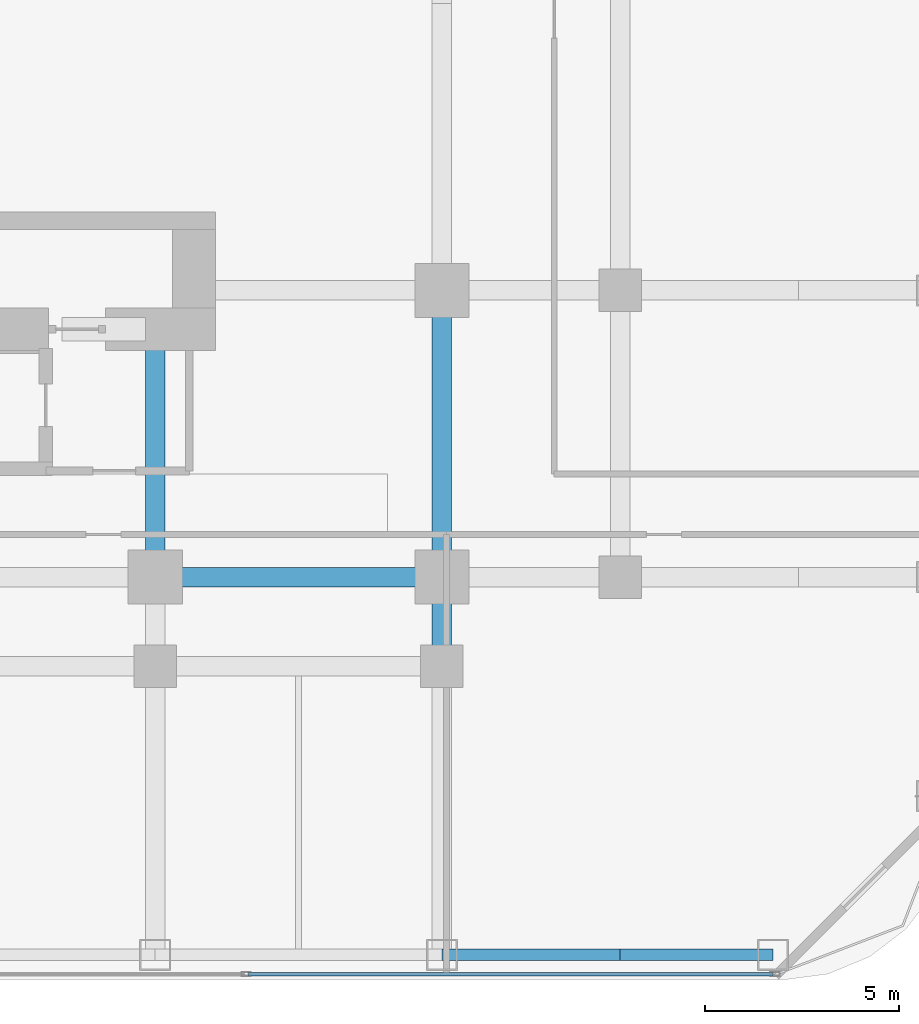
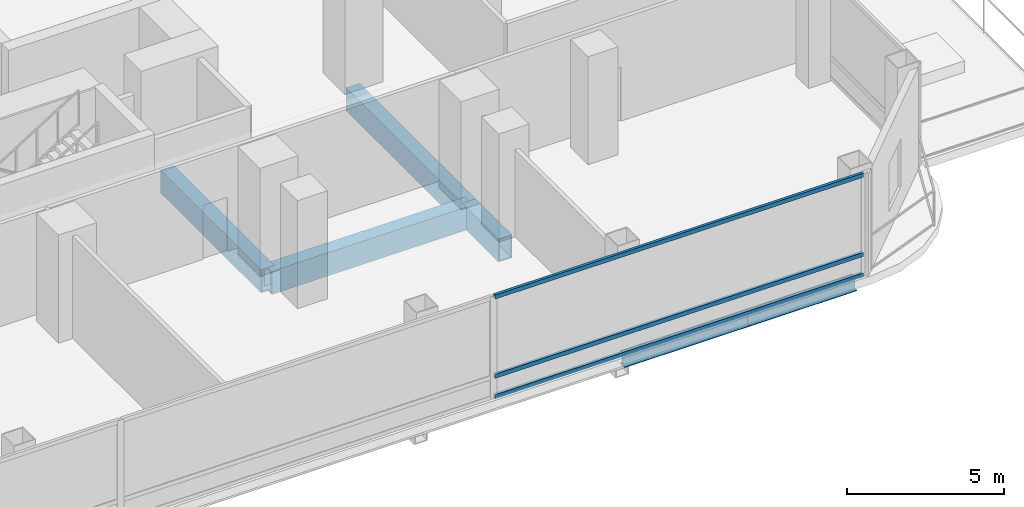
# One storey, part 9 of 29: 6 beams, 3 members, 1 element without a shape of its own.
"""IFC4 building model written with IfcOpenShell, lengths in metres."""

from ifc_helpers import new_model, si_unit, direction, frame, origin, origin_2d, place, context, subcontext, project, spatial, hollow_rectangle, i_section, extrude, material, layer, layer_set, material_profile, profile_set, type_object, element, aggregate, save


model = new_model("IFC4")

# Units and contexts
model_context = context("Model", 3, precision=1e-05, world=origin(), true_north=direction((0.0, 1.0)))
body_context = subcontext(model_context, "Body", "Model", "MODEL_VIEW")
ifc_project = project(units=[si_unit("LENGTHUNIT", "METRE"), si_unit("AREAUNIT", "SQUARE_METRE"), si_unit("VOLUMEUNIT", "CUBIC_METRE"), si_unit("PLANEANGLEUNIT", "RADIAN"), si_unit("MASSUNIT", "GRAM", prefix="KILO")], contexts=[model_context])

# Site, building, storey
site_placement = place(None, origin())
site = spatial("IfcSite", under=ifc_project, at=site_placement, CompositionType="ELEMENT")
building_placement = place(site_placement, origin())
building = spatial("IfcBuilding", under=site, at=building_placement, Name="Khorvyn Point Tower", CompositionType="ELEMENT")
storey_placement = place(building_placement, frame((0.0, 0.0, 26.39990234375)))
storey = spatial("IfcBuildingStorey", under=building, at=storey_placement, Name="L07", CompositionType="ELEMENT", Elevation=26.39990234375)

# Curtain wall, members
ifc_material_1 = material(Name="Anodised aluminium 6063-T6 and laminated Low-E glass", Category="aluminium")
ifc_layer = layer(ifc_material_1, 0.18994140625)
ifc_layer_set = layer_set([ifc_layer], Name="Stick-Built Finned Residential Curtain Wall CW-SYS-02")
curtain_wall_type = type_object("IfcCurtainWallType", Name="Stick-Built Finned Residential Curtain Wall CW-SYS-02", PredefinedType="NOTDEFINED", material=ifc_layer_set)
curtain_wall_placement = place(storey_placement, origin())
curtain_wall = element("IfcCurtainWall", 1, at=curtain_wall_placement, inside=storey, type_object=curtain_wall_type, Name="Curtain Wall", PredefinedType="NOTDEFINED")
ifc_material_2 = material(Name="Anodised aluminium 6063-T6", Category="aluminium")
ifc_material_profile_1 = material_profile(ifc_material_2, hollow_rectangle(XDim=0.10009765625, YDim=0.159912109375, WallThickness=0.00439453125, at=origin_2d()))
ifc_profile_set_1 = profile_set([ifc_material_profile_1], Name="Anodised aluminium 6063-T6 ALU-TRN-100x160")
member_type = type_object("IfcMemberType", Name="Anodised Aluminium 6063-T6 Transom ALU-TRN-100x160", PredefinedType="USERDEFINED", material=ifc_profile_set_1)
member_1_placement = place(storey_placement, frame((23.35009765625, -25.050048828125, 0.050048828125), z_axis=(-1.0, 0.0, 0.0), x_axis=(0.0, -1.0, 0.0)))
member_1 = element("IfcMember", 2, at=member_1_placement, type_object=member_type, Name="Transom", ObjectType="TRANSOM", PredefinedType="USERDEFINED", context=body_context, shape_type="SweptSolid", body=[
    extrude(hollow_rectangle(XDim=0.10009765625, YDim=0.159912109375, WallThickness=0.00439453125, at=origin_2d()), origin(), (0.0, 0.0, 1.0), 13.550048828125),
])
member_2_placement = place(storey_placement, frame((23.35009765625, -25.050048828125, 0.85009765625), z_axis=(-1.0, 0.0, 0.0), x_axis=(0.0, -1.0, 0.0)))
member_2 = element("IfcMember", 3, at=member_2_placement, type_object=member_type, Name="Transom", ObjectType="TRANSOM", PredefinedType="USERDEFINED", context=body_context, shape_type="SweptSolid", body=[
    extrude(hollow_rectangle(XDim=0.10009765625, YDim=0.159912109375, WallThickness=0.00439453125, at=origin_2d()), origin(), (0.0, 0.0, 1.0), 13.550048828125),
])
member_3_placement = place(storey_placement, frame((23.35009765625, -25.050048828125, 3.93017578125), z_axis=(-1.0, 0.0, 0.0), x_axis=(0.0, -1.0, 0.0)))
member_3 = element("IfcMember", 4, at=member_3_placement, type_object=member_type, Name="Transom", ObjectType="TRANSOM", PredefinedType="USERDEFINED", context=body_context, shape_type="SweptSolid", body=[
    extrude(hollow_rectangle(XDim=0.10009765625, YDim=0.159912109375, WallThickness=0.00439453125, at=origin_2d()), origin(), (0.0, 0.0, 1.0), 13.550048828125),
])
aggregate(curtain_wall, [member_1, member_2, member_3])

# Beams
ifc_material_3 = material(Name="Steel S355", Category="steel")
ifc_material_profile_2 = material_profile(ifc_material_3, i_section(OverallWidth=0.300048828125, OverallDepth=0.488037109375, WebThickness=0.010986328125, FlangeThickness=0.01806640625, at=origin_2d()))
ifc_profile_set_2 = profile_set([ifc_material_profile_2], Name="Steel S355 H488x300x11x18")
beam_type_1 = type_object("IfcBeamType", Name="Steel S355 Spandrel H488x300x11x18", PredefinedType="SPANDREL", material=ifc_profile_set_2)
beam_1_placement = place(storey_placement, frame((14.800048828125, -24.550048828125, -0.56396484375), z_axis=(1.0, 0.0, 0.0), x_axis=(0.0, 1.0, 0.0)))
element("IfcBeam", 5, at=beam_1_placement, inside=storey, type_object=beam_type_1, Name="Beam", PredefinedType="SPANDREL", context=body_context, shape_type="SweptSolid", body=[
    extrude(i_section(OverallWidth=0.300048828125, OverallDepth=0.488037109375, WebThickness=0.010986328125, FlangeThickness=0.01806640625, at=origin_2d()), origin(), (0.0, 0.0, 1.0), 4.599853515625),
])
beam_2_placement = place(storey_placement, frame((19.39990234375, -24.550048828125, -0.56396484375), z_axis=(1.0, 0.0, 0.0), x_axis=(0.0, 1.0, 0.0)))
element("IfcBeam", 6, at=beam_2_placement, inside=storey, type_object=beam_type_1, Name="Beam", PredefinedType="SPANDREL", context=body_context, shape_type="SweptSolid", body=[
    extrude(i_section(OverallWidth=0.300048828125, OverallDepth=0.488037109375, WebThickness=0.010986328125, FlangeThickness=0.01806640625, at=origin_2d()), origin(), (0.0, 0.0, 1.0), 3.9501953125),
])
ifc_material_4 = material(Name="Steel S450", Category="steel")
ifc_material_profile_3 = material_profile(ifc_material_4, hollow_rectangle(XDim=0.5, YDim=0.89990234375, WallThickness=0.0400390625, at=origin_2d()))
ifc_profile_set_3 = profile_set([ifc_material_profile_3], Name="Steel S450 BOX900x500x40")
beam_type_2 = type_object("IfcBeamType", Name="Steel S450 Beam BOX900x500x40", PredefinedType="BEAM", material=ifc_profile_set_3)
beam_3_placement = place(storey_placement, frame((7.39990234375, -14.800048828125, -0.77001953125), z_axis=(1.0, 0.0, 0.0), x_axis=(0.0, 1.0, 0.0)))
element("IfcBeam", 7, at=beam_3_placement, inside=storey, type_object=beam_type_2, Name="L07 Radial Transfer Girder", PredefinedType="BEAM", context=body_context, shape_type="SweptSolid", body=[
    extrude(hollow_rectangle(XDim=0.5, YDim=0.89990234375, WallThickness=0.0400390625, at=origin_2d()), origin(), (0.0, 0.0, 1.0), 7.400146484375),
])
beam_4_placement = place(storey_placement, frame((14.800048828125, -17.10009765625, -0.77001953125), z_axis=(0.0, 1.0, 0.0), x_axis=(-1.0, 0.0, 0.0)))
element("IfcBeam", 8, at=beam_4_placement, inside=storey, type_object=beam_type_2, Name="L07 Radial Transfer Girder", PredefinedType="BEAM", context=body_context, shape_type="SweptSolid", body=[
    extrude(hollow_rectangle(XDim=0.5, YDim=0.89990234375, WallThickness=0.0400390625, at=origin_2d()), origin(), (0.0, 0.0, 1.0), 2.300048828125),
])
beam_5_placement = place(storey_placement, frame((14.800048828125, -14.800048828125, -0.77001953125), z_axis=(0.0, 1.0, 0.0), x_axis=(-1.0, 0.0, 0.0)))
element("IfcBeam", 9, at=beam_5_placement, inside=storey, type_object=beam_type_2, Name="L07 Radial Transfer Girder", PredefinedType="BEAM", context=body_context, shape_type="SweptSolid", body=[
    extrude(hollow_rectangle(XDim=0.5, YDim=0.89990234375, WallThickness=0.0400390625, at=origin_2d()), origin(), (0.0, 0.0, 1.0), 7.400146484375),
])
beam_6_placement = place(storey_placement, frame((7.39990234375, -14.800048828125, -0.77001953125), z_axis=(0.0, 1.0, 0.0), x_axis=(-1.0, 0.0, 0.0)))
element("IfcBeam", 10, at=beam_6_placement, inside=storey, type_object=beam_type_2, Name="Beam", PredefinedType="BEAM", context=body_context, shape_type="SweptSolid", body=[
    extrude(hollow_rectangle(XDim=0.5, YDim=0.89990234375, WallThickness=0.0400390625, at=origin_2d()), origin(), (0.0, 0.0, 1.0), 6.400146484375),
])

save(model, "model.ifc")
